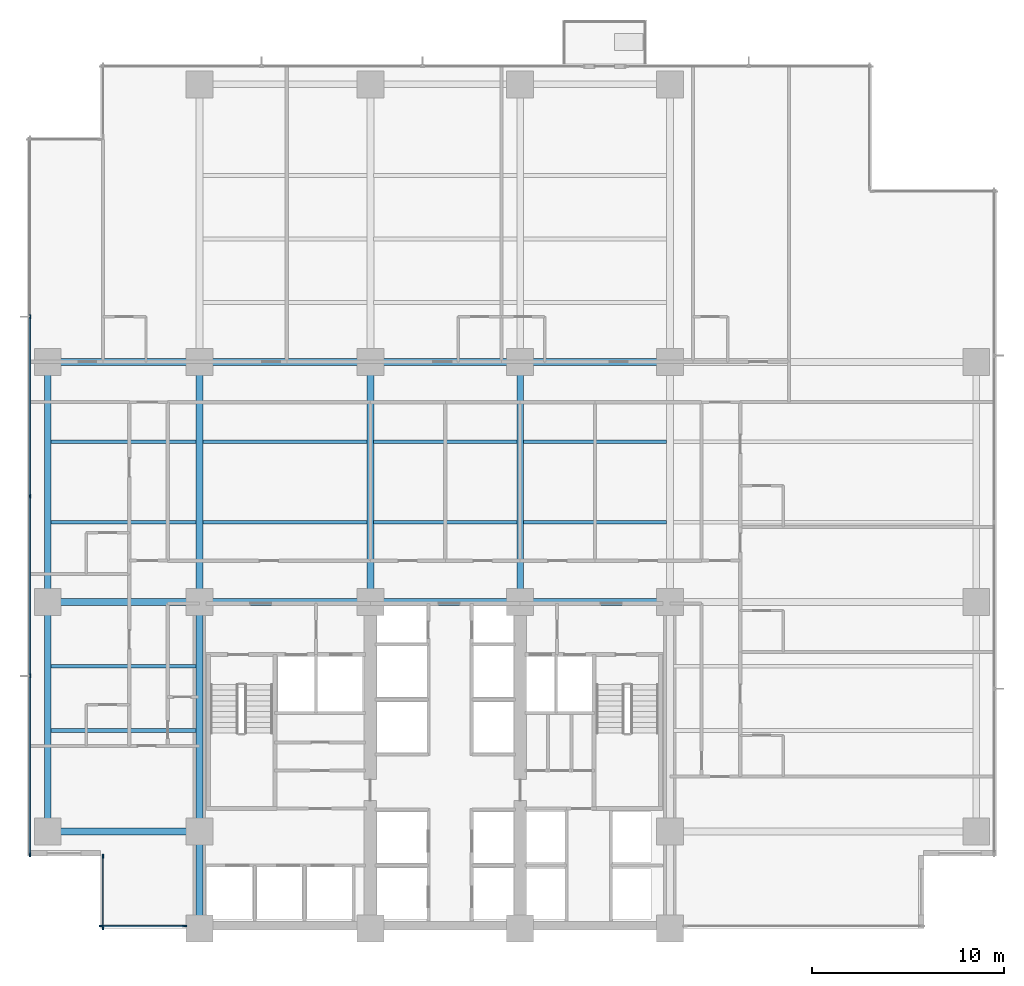
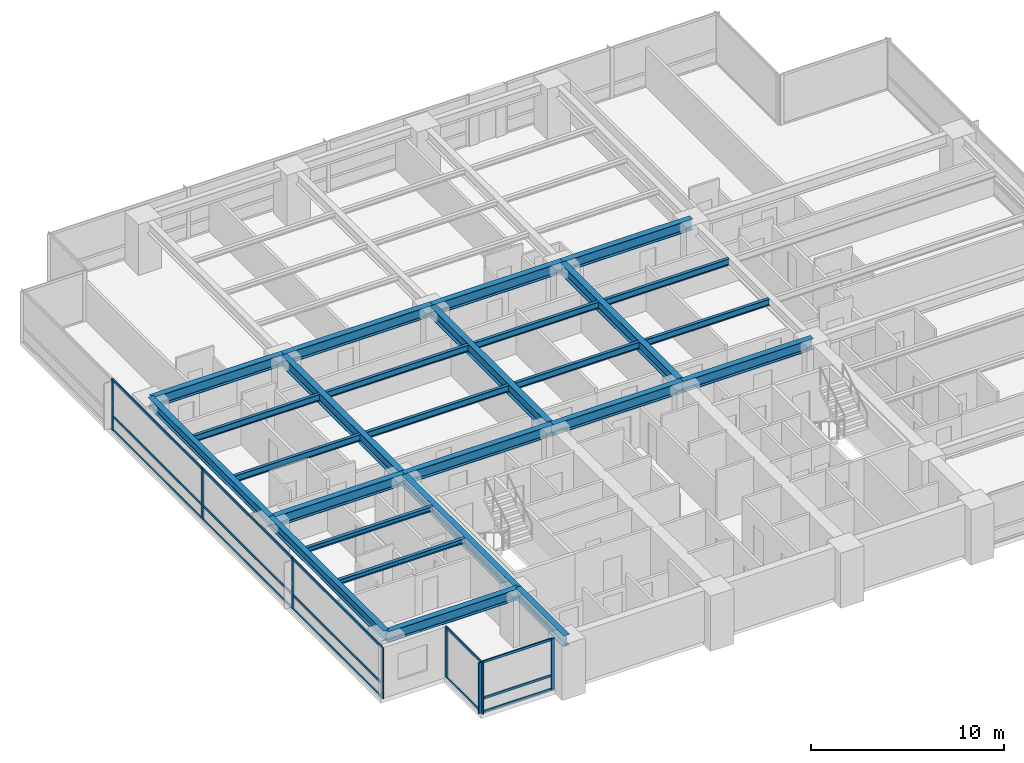
# One storey, part 2 of 16: 26 beams, 22 members, 3 elements without a shape of their own.
"""IFC4 building model written with IfcOpenShell, lengths in metres."""

import ifcopenshell
import ifcopenshell.guid

model = None  # the IFC model being written
_history = None  # IfcOwnerHistory: only IFC2X3 demands one
_inside = {}  # id of a spatial element -> (the spatial element, [elements in it])
_under = {}  # id of a project, library or spatial element -> (it, [spatial elements below it])
_declared = {}  # id of a project -> (the project, [libraries it declares])
_typed = {}  # id of a type object -> (the type object, [elements of that type])
_made_of = {}  # id of a material, layer set ... -> (it, [elements and type objects made of it])


def new_model(schema):
    """Start an empty IFC model of exactly this schema.

    Asked for "IFC4X3", IfcOpenShell would pick the latest addendum, in which some entities
    have other attributes; the version numbers below select the first issue.
    IFC2X3 requires an IfcOwnerHistory on every rooted entity: one is made here for all.
    """
    global model, _history
    if schema == "IFC4X3":
        model = ifcopenshell.file(schema_version=(4, 3, 0, 0))
    else:
        model = ifcopenshell.file(schema=schema)
    _inside.clear()
    _under.clear()
    _declared.clear()
    _typed.clear()
    _made_of.clear()
    _history = None
    if model.schema == "IFC2X3":
        org = make("IfcOrganization", Name="unknown")
        user = make(
            "IfcPersonAndOrganization",
            ThePerson=make("IfcPerson", FamilyName="unknown"),
            TheOrganization=org,
        )
        app = make(
            "IfcApplication",
            ApplicationDeveloper=org,
            Version="unknown",
            ApplicationFullName="unknown",
            ApplicationIdentifier="unknown",
        )
        _history = make(
            "IfcOwnerHistory",
            OwningUser=user,
            OwningApplication=app,
            ChangeAction="ADDED",
            CreationDate=0,
        )
    return model


def make(cls, **values):
    """One entity of the class cls with the attributes given. An attribute that is None is left unset."""
    return model.create_entity(
        cls, **{name: value for name, value in values.items() if value is not None}
    )


def rooted(cls, **values):
    """An entity with a GlobalId (a new one), such as an element, a storey or a relation."""
    return make(cls, GlobalId=ifcopenshell.guid.new(), OwnerHistory=_history, **values)


def si_unit(unit_type, name, prefix=None):
    """IfcSIUnit, for example si_unit("LENGTHUNIT", "METRE", prefix="MILLI")."""
    return make("IfcSIUnit", UnitType=unit_type, Prefix=prefix, Name=name)


def assignment(units):
    """IfcUnitAssignment: the units of a project."""
    return None if units is None else make("IfcUnitAssignment", Units=units)


def point(xyz):
    """IfcCartesianPoint."""
    return None if xyz is None else make("IfcCartesianPoint", Coordinates=xyz)


def direction(xyz):
    """IfcDirection."""
    return None if xyz is None else make("IfcDirection", DirectionRatios=xyz)


def frame(location, z_axis=None, x_axis=None):
    """IfcAxis2Placement3D, a coordinate frame: its origin and axes. An axis left out is left unset."""
    return make(
        "IfcAxis2Placement3D",
        Location=point(location),
        Axis=direction(z_axis),
        RefDirection=direction(x_axis),
    )


def frame_2d(location, x_axis=None):
    """IfcAxis2Placement2D, a coordinate frame in the plane: its origin and x axis."""
    return make(
        "IfcAxis2Placement2D", Location=point(location), RefDirection=direction(x_axis)
    )


def origin():
    """The frame at (0, 0, 0) with its axes left unset."""
    return frame((0.0, 0.0, 0.0))


def origin_2d():
    """The frame at (0, 0) in the plane with its x axis left unset."""
    return frame_2d((0.0, 0.0))


def place(relative_to, where):
    """IfcLocalPlacement: puts the frame where relative to a parent placement (None: the world)."""
    return make(
        "IfcLocalPlacement", PlacementRelTo=relative_to, RelativePlacement=where
    )


def context(
    kind, dimensions, precision=None, world=None, true_north=None, identifier=None
):
    """IfcGeometricRepresentationContext, for example the 3D "Model" context."""
    return make(
        "IfcGeometricRepresentationContext",
        ContextIdentifier=identifier,
        ContextType=kind,
        CoordinateSpaceDimension=dimensions,
        Precision=precision,
        WorldCoordinateSystem=world,
        TrueNorth=true_north,
    )


def subcontext(parent, identifier, kind, view, scale=None):
    """IfcGeometricRepresentationSubContext, for example "Body" below "Model"."""
    return make(
        "IfcGeometricRepresentationSubContext",
        ContextIdentifier=identifier,
        ContextType=kind,
        ParentContext=parent,
        TargetScale=scale,
        TargetView=view,
    )


def project(units=None, contexts=None):
    """IfcProject with its units and contexts."""
    return rooted(
        "IfcProject",
        Name="project",
        RepresentationContexts=contexts,
        UnitsInContext=assignment(units),
    )


def spatial(cls, under=None, at=None, **own):
    """A site, building, storey or space (cls), placed at a placement, below another one or the project."""
    s = rooted(cls, ObjectPlacement=at, **own)
    if under is not None:
        _under.setdefault(under.id(), (under, []))[1].append(s)
    return s


def profile(cls, at=None, kind="AREA", **sizes):
    """A parametric profile (cls). Its sizes go by their IFC names, for example OverallWidth=200.0."""
    return make(cls, ProfileType=kind, Position=at, **sizes)


def rectangle(**sizes):
    """IfcRectangleProfileDef."""
    return profile("IfcRectangleProfileDef", **sizes)


def i_section(**sizes):
    """IfcIShapeProfileDef."""
    return profile("IfcIShapeProfileDef", **sizes)


def extrude(swept, where, along, depth):
    """IfcExtrudedAreaSolid: the profile swept, set in the frame where, extruded along a direction by depth."""
    return make(
        "IfcExtrudedAreaSolid",
        SweptArea=swept,
        Position=where,
        ExtrudedDirection=direction(along),
        Depth=depth,
    )


def shape(context_of_items, identifier, shape_type, items):
    """IfcShapeRepresentation: the items that make up one representation, for example the "Body"."""
    return make(
        "IfcShapeRepresentation",
        ContextOfItems=context_of_items,
        RepresentationIdentifier=identifier,
        RepresentationType=shape_type,
        Items=items,
    )


def material(Name=None, Category=None):
    """IfcMaterial."""
    return make("IfcMaterial", Name=Name, Category=Category)


def layer(
    of_material, thickness, ventilated=None, Name=None, Category=None, Priority=None
):
    """IfcMaterialLayer: one layer of a wall or slab, of a material (None: an air gap)."""
    return make(
        "IfcMaterialLayer",
        Material=of_material,
        LayerThickness=thickness,
        IsVentilated=ventilated,
        Name=Name,
        Category=Category,
        Priority=Priority,
    )


def layer_set(layers, Name=None):
    """IfcMaterialLayerSet."""
    return make("IfcMaterialLayerSet", MaterialLayers=layers, LayerSetName=Name)


def material_profile(
    of_material, cross_section, Name=None, Category=None, Priority=None
):
    """IfcMaterialProfile: a cross section and its material."""
    return make(
        "IfcMaterialProfile",
        Name=Name,
        Material=of_material,
        Profile=cross_section,
        Priority=Priority,
        Category=Category,
    )


def profile_set(profiles, Name=None, composite=None):
    """IfcMaterialProfileSet."""
    return make(
        "IfcMaterialProfileSet",
        Name=Name,
        MaterialProfiles=profiles,
        CompositeProfile=composite,
    )


def made_of(thing, what):
    """Note that an element or type object is made of a material, layer set ...; save() writes the relation."""
    if what is not None:
        _made_of.setdefault(what.id(), (what, []))[1].append(thing)
    return thing


def type_object(cls, material=None, **own):
    """A type object (cls), such as IfcWallType, which elements share."""
    return made_of(rooted(cls, **own), material)


def element(
    cls,
    number,
    at=None,
    inside=None,
    cuts=None,
    type_object=None,
    material=None,
    context=None,
    identifier="Body",
    shape_type=None,
    held_by="IfcProductDefinitionShape",
    body=None,
    shapes=None,
    **own,
):
    """One element of the class cls, such as IfcWall. Its Tag is "e" and its number.

    at: its placement. inside: the storey or other place that contains it. cuts: it is an
    opening in that element (IfcRelVoidsElement). A single representation is given by context,
    identifier, shape_type and body (its items); several are given by shapes. held_by: the class
    of the entity that holds the representations. save() writes the other relations.
    """
    e = rooted(cls, Tag="e%d" % number, ObjectPlacement=at, **own)
    if body is not None:
        shapes = [shape(context, identifier, shape_type, body)]
    if shapes is not None:
        e.Representation = make(held_by, Representations=shapes)
    if inside is not None:
        _inside.setdefault(inside.id(), (inside, []))[1].append(e)
    if cuts is not None:
        rooted(
            "IfcRelVoidsElement", RelatingBuildingElement=cuts, RelatedOpeningElement=e
        )
    if type_object is not None:
        _typed.setdefault(type_object.id(), (type_object, []))[1].append(e)
    return made_of(e, material)


def aggregate(whole, parts):
    """IfcRelAggregates: a whole, such as a stair, and the parts it consists of."""
    return rooted("IfcRelAggregates", RelatingObject=whole, RelatedObjects=parts)


def save(model, path):
    """Write the relations noted so far, then the file.

    IfcRelAggregates (storeys below a building ...), IfcRelContainedInSpatialStructure (elements
    in a storey), IfcRelDefinesByType, IfcRelAssociatesMaterial and IfcRelDeclares: one each for
    every whole, place, type object, material and project.
    """
    for whole, parts in _under.values():
        aggregate(whole, parts)
    for where, things in _inside.values():
        rooted(
            "IfcRelContainedInSpatialStructure",
            RelatedElements=things,
            RelatingStructure=where,
        )
    for kind, things in _typed.values():
        rooted("IfcRelDefinesByType", RelatedObjects=things, RelatingType=kind)
    for what, things in _made_of.values():
        rooted("IfcRelAssociatesMaterial", RelatedObjects=things, RelatingMaterial=what)
    for by, libraries in _declared.values():
        rooted("IfcRelDeclares", RelatingContext=by, RelatedDefinitions=libraries)
    model.write(path)


model = new_model("IFC4")

# Units and contexts
model_context = context("Model", 3, precision=1e-05, world=origin(), true_north=direction((0.0, 1.0)))
body_context = subcontext(model_context, "Body", "Model", "MODEL_VIEW")
ifc_project = project(units=[si_unit("LENGTHUNIT", "METRE"), si_unit("AREAUNIT", "SQUARE_METRE"), si_unit("VOLUMEUNIT", "CUBIC_METRE"), si_unit("PLANEANGLEUNIT", "RADIAN"), si_unit("MASSUNIT", "GRAM", prefix="KILO")], contexts=[model_context])

# Site, building, storey
site_placement = place(None, origin())
site = spatial("IfcSite", under=ifc_project, at=site_placement, CompositionType="ELEMENT")
building_placement = place(site_placement, origin())
building = spatial("IfcBuilding", under=site, at=building_placement, Name="Qalmaran Belvedere Hotel", CompositionType="ELEMENT")
storey_placement = place(building_placement, frame((0.0, 0.0, 50.89990234375)))
storey = spatial("IfcBuildingStorey", under=building, at=storey_placement, Name="L12", CompositionType="ELEMENT", Elevation=50.89990234375)

# Beams
ifc_material_1 = material(Name="Steel S355JR", Category="steel")
ifc_material_profile_1 = material_profile(ifc_material_1, i_section(OverallWidth=0.202880859375, OverallDepth=0.302978515625, WebThickness=0.007568359375, FlangeThickness=0.01318359375, FilletRadius=0.012939453125, at=origin_2d()), Name="W310X60")
ifc_profile_set_1 = profile_set([ifc_material_profile_1], Name="Steel S355JR")
beam_type_1 = type_object("IfcBeamType", Name="BM-JST-W310X60", PredefinedType="JOIST", material=ifc_profile_set_1)
for number, where, z_axis, x_axis, name in (
    (1, (12.5615234375, 13.800048828125, 3.068603515625), (1.0, 0.0, 0.0), (0.0, 1.0, 0.0), "L12 West Wing Joist 038"),
    (2, (12.5615234375, 17.14990234375, 3.068603515625), (1.0, 0.0, 0.0), (0.0, 1.0, 0.0), "L12 West Wing Joist 040"),
):
    element("IfcBeam", number, at=place(storey_placement, frame(where, z_axis=z_axis, x_axis=x_axis)), inside=storey, type_object=beam_type_1, Name=name, PredefinedType="JOIST", context=body_context, shape_type="SweptSolid", body=[
        extrude(i_section(OverallWidth=0.202880859375, OverallDepth=0.302978515625, WebThickness=0.007568359375, FlangeThickness=0.01318359375, FilletRadius=0.012939453125, at=origin_2d()), origin(), (0.0, 0.0, 1.0), 7.56298828125),
    ])
ifc_material_profile_2 = material_profile(ifc_material_1, i_section(OverallWidth=0.180908203125, OverallDepth=0.4169921875, WebThickness=0.010986328125, FlangeThickness=0.018310546875, FilletRadius=0.014892578125, at=origin_2d()), Name="W410X85")
ifc_profile_set_2 = profile_set([ifc_material_profile_2], Name="Steel S355JR")
beam_type_2 = type_object("IfcBeamType", Name="BM-SB1-W410X85", PredefinedType="BEAM", material=ifc_profile_set_2)
beam_1_placement = place(storey_placement, frame((12.5615234375, 24.64990234375, 3.01171875), z_axis=(1.0, 0.0, 0.0), x_axis=(0.0, 1.0, 0.0)))
element("IfcBeam", 3, at=beam_1_placement, inside=storey, type_object=beam_type_2, Name="L12 West Secondary Beam 028", PredefinedType="BEAM", context=body_context, shape_type="SweptSolid", body=[
    extrude(i_section(OverallWidth=0.180908203125, OverallDepth=0.4169921875, WebThickness=0.010986328125, FlangeThickness=0.018310546875, FilletRadius=0.014892578125, at=origin_2d()), origin(), (0.0, 0.0, 1.0), 7.56298828125),
])
beam_2_placement = place(storey_placement, frame((20.4755859375, 24.64990234375, 3.01171875), z_axis=(1.0, 0.0, 0.0), x_axis=(0.0, 1.0, 0.0)))
element("IfcBeam", 4, at=beam_2_placement, inside=storey, type_object=beam_type_2, Name="L12 Secondary Floor Beam 029", PredefinedType="BEAM", context=body_context, shape_type="SweptSolid", body=[
    extrude(i_section(OverallWidth=0.180908203125, OverallDepth=0.4169921875, WebThickness=0.010986328125, FlangeThickness=0.018310546875, FilletRadius=0.014892578125, at=origin_2d()), origin(), (0.0, 0.0, 1.0), 8.548828125),
])
for number, where, z_axis, x_axis, name in (
    (5, (29.37548828125, 24.64990234375, 3.01171875), (1.0, 0.0, 0.0), (0.0, 1.0, 0.0), "L12 Secondary Floor Beam 030"),
    (6, (37.175537109375, 24.64990234375, 3.01171875), (1.0, 0.0, 0.0), (0.0, 1.0, 0.0), "L12 Secondary Floor Beam 031"),
):
    element("IfcBeam", number, at=place(storey_placement, frame(where, z_axis=z_axis, x_axis=x_axis)), inside=storey, type_object=beam_type_2, Name=name, PredefinedType="BEAM", context=body_context, shape_type="SweptSolid", body=[
        extrude(i_section(OverallWidth=0.180908203125, OverallDepth=0.4169921875, WebThickness=0.010986328125, FlangeThickness=0.018310546875, FilletRadius=0.014892578125, at=origin_2d()), origin(), (0.0, 0.0, 1.0), 7.448974609375),
    ])
beam_3_placement = place(storey_placement, frame((12.5615234375, 28.85009765625, 3.01171875), z_axis=(1.0, 0.0, 0.0), x_axis=(0.0, 1.0, 0.0)))
element("IfcBeam", 7, at=beam_3_placement, inside=storey, type_object=beam_type_2, Name="L12 West Secondary Beam 033", PredefinedType="BEAM", context=body_context, shape_type="SweptSolid", body=[
    extrude(i_section(OverallWidth=0.180908203125, OverallDepth=0.4169921875, WebThickness=0.010986328125, FlangeThickness=0.018310546875, FilletRadius=0.014892578125, at=origin_2d()), origin(), (0.0, 0.0, 1.0), 7.56298828125),
])
beam_4_placement = place(storey_placement, frame((20.4755859375, 28.85009765625, 3.01171875), z_axis=(1.0, 0.0, 0.0), x_axis=(0.0, 1.0, 0.0)))
element("IfcBeam", 8, at=beam_4_placement, inside=storey, type_object=beam_type_2, Name="L12 Secondary Floor Beam 034", PredefinedType="BEAM", context=body_context, shape_type="SweptSolid", body=[
    extrude(i_section(OverallWidth=0.180908203125, OverallDepth=0.4169921875, WebThickness=0.010986328125, FlangeThickness=0.018310546875, FilletRadius=0.014892578125, at=origin_2d()), origin(), (0.0, 0.0, 1.0), 8.548828125),
])
for number, where, z_axis, x_axis, name in (
    (9, (29.37548828125, 28.85009765625, 3.01171875), (1.0, 0.0, 0.0), (0.0, 1.0, 0.0), "L12 Secondary Floor Beam 035"),
    (10, (37.175537109375, 28.85009765625, 3.01171875), (1.0, 0.0, 0.0), (0.0, 1.0, 0.0), "L12 Secondary Floor Beam 036"),
):
    element("IfcBeam", number, at=place(storey_placement, frame(where, z_axis=z_axis, x_axis=x_axis)), inside=storey, type_object=beam_type_2, Name=name, PredefinedType="BEAM", context=body_context, shape_type="SweptSolid", body=[
        extrude(i_section(OverallWidth=0.180908203125, OverallDepth=0.4169921875, WebThickness=0.010986328125, FlangeThickness=0.018310546875, FilletRadius=0.014892578125, at=origin_2d()), origin(), (0.0, 0.0, 1.0), 7.448974609375),
    ])
ifc_material_profile_3 = material_profile(ifc_material_1, i_section(OverallWidth=0.326904296875, OverallDepth=0.6220703125, WebThickness=0.015380859375, FlangeThickness=0.0244140625, FilletRadius=0.02001953125, at=origin_2d()), Name="W610X195")
ifc_profile_set_3 = profile_set([ifc_material_profile_3], Name="Steel S355JR")
beam_type_3 = type_object("IfcBeamType", Name="BM-SP1-W610X195", PredefinedType="SPANDREL", material=ifc_profile_set_3)
beam_5_placement = place(storey_placement, frame((12.39990234375, 8.550048828125, 2.9091796875), z_axis=(0.0, 1.0, 0.0), x_axis=(-1.0, 0.0, 0.0)))
element("IfcBeam", 11, at=beam_5_placement, inside=storey, type_object=beam_type_3, Name="L12 Perimeter Spandrel 01", PredefinedType="SPANDREL", context=body_context, shape_type="SweptSolid", body=[
    extrude(i_section(OverallWidth=0.326904296875, OverallDepth=0.6220703125, WebThickness=0.015380859375, FlangeThickness=0.0244140625, FilletRadius=0.02001953125, at=origin_2d()), origin(), (0.0, 0.0, 1.0), 11.949951171875),
])
beam_6_placement = place(storey_placement, frame((12.39990234375, 20.5, 2.9091796875), z_axis=(0.0, 1.0, 0.0), x_axis=(-1.0, 0.0, 0.0)))
element("IfcBeam", 12, at=beam_6_placement, inside=storey, type_object=beam_type_3, Name="L12 Perimeter Spandrel 02", PredefinedType="SPANDREL", context=body_context, shape_type="SweptSolid", body=[
    extrude(i_section(OverallWidth=0.326904296875, OverallDepth=0.6220703125, WebThickness=0.015380859375, FlangeThickness=0.0244140625, FilletRadius=0.02001953125, at=origin_2d()), origin(), (0.0, 0.0, 1.0), 12.5),
])
ifc_material_profile_4 = material_profile(ifc_material_1, i_section(OverallWidth=0.35498046875, OverallDepth=0.695068359375, WebThickness=0.015380859375, FlangeThickness=0.02490234375, FilletRadius=0.02197265625, at=origin_2d()), Name="W690X217")
ifc_profile_set_4 = profile_set([ifc_material_profile_4], Name="Steel S355JR")
beam_type_4 = type_object("IfcBeamType", Name="BM-Z1-W690X217", PredefinedType="USERDEFINED", material=ifc_profile_set_4)
beam_7_placement = place(storey_placement, frame((20.300048828125, 20.5, 2.87255859375), z_axis=(1.0, 0.0, 0.0), x_axis=(0.0, 1.0, 0.0)))
element("IfcBeam", 13, at=beam_7_placement, inside=storey, type_object=beam_type_4, Name="L12 Interior E-W Girder 08", ObjectType="GIRDER", PredefinedType="USERDEFINED", context=body_context, shape_type="SweptSolid", body=[
    extrude(i_section(OverallWidth=0.35498046875, OverallDepth=0.695068359375, WebThickness=0.015380859375, FlangeThickness=0.02490234375, FilletRadius=0.02197265625, at=origin_2d()), origin(), (0.0, 0.0, 1.0), 8.89990234375),
])
for number, where, z_axis, x_axis, name in (
    (14, (29.199951171875, 20.5, 2.87255859375), (1.0, 0.0, 0.0), (0.0, 1.0, 0.0), "L12 Interior E-W Girder 09"),
    (15, (37.0, 20.5, 2.87255859375), (1.0, 0.0, 0.0), (0.0, 1.0, 0.0), "L12 Interior E-W Girder 10"),
):
    element("IfcBeam", number, at=place(storey_placement, frame(where, z_axis=z_axis, x_axis=x_axis)), inside=storey, type_object=beam_type_4, Name=name, ObjectType="GIRDER", PredefinedType="USERDEFINED", context=body_context, shape_type="SweptSolid", body=[
        extrude(i_section(OverallWidth=0.35498046875, OverallDepth=0.695068359375, WebThickness=0.015380859375, FlangeThickness=0.02490234375, FilletRadius=0.02197265625, at=origin_2d()), origin(), (0.0, 0.0, 1.0), 7.800048828125),
    ])
beam_8_placement = place(storey_placement, frame((20.300048828125, 33.0, 2.87255859375), z_axis=(1.0, 0.0, 0.0), x_axis=(0.0, 1.0, 0.0)))
element("IfcBeam", 16, at=beam_8_placement, inside=storey, type_object=beam_type_4, Name="L12 Interior E-W Girder 11", ObjectType="GIRDER", PredefinedType="USERDEFINED", context=body_context, shape_type="SweptSolid", body=[
    extrude(i_section(OverallWidth=0.35498046875, OverallDepth=0.695068359375, WebThickness=0.015380859375, FlangeThickness=0.02490234375, FilletRadius=0.02197265625, at=origin_2d()), origin(), (0.0, 0.0, 1.0), 8.89990234375),
])
for number, where, z_axis, x_axis, name in (
    (17, (29.199951171875, 33.0, 2.87255859375), (1.0, 0.0, 0.0), (0.0, 1.0, 0.0), "L12 Interior E-W Girder 12"),
    (18, (37.0, 33.0, 2.87255859375), (1.0, 0.0, 0.0), (0.0, 1.0, 0.0), "L12 Interior E-W Girder 13"),
):
    element("IfcBeam", number, at=place(storey_placement, frame(where, z_axis=z_axis, x_axis=x_axis)), inside=storey, type_object=beam_type_4, Name=name, ObjectType="GIRDER", PredefinedType="USERDEFINED", context=body_context, shape_type="SweptSolid", body=[
        extrude(i_section(OverallWidth=0.35498046875, OverallDepth=0.695068359375, WebThickness=0.015380859375, FlangeThickness=0.02490234375, FilletRadius=0.02197265625, at=origin_2d()), origin(), (0.0, 0.0, 1.0), 7.800048828125),
    ])
for number, where, z_axis, x_axis, name in (
    (19, (20.300048828125, 20.5, 2.87255859375), (0.0, 1.0, 0.0), (-1.0, 0.0, 0.0), "L12 Mid-Plate N-S Girder 14"),
    (20, (29.199951171875, 20.5, 2.87255859375), (0.0, 1.0, 0.0), (-1.0, 0.0, 0.0), "L12 Mid-Plate N-S Girder 16"),
    (21, (37.0, 20.5, 2.87255859375), (0.0, 1.0, 0.0), (-1.0, 0.0, 0.0), "L12 Mid-Plate N-S Girder 18"),
):
    element("IfcBeam", number, at=place(storey_placement, frame(where, z_axis=z_axis, x_axis=x_axis)), inside=storey, type_object=beam_type_4, Name=name, ObjectType="GIRDER", PredefinedType="USERDEFINED", context=body_context, shape_type="SweptSolid", body=[
        extrude(i_section(OverallWidth=0.35498046875, OverallDepth=0.695068359375, WebThickness=0.015380859375, FlangeThickness=0.02490234375, FilletRadius=0.02197265625, at=origin_2d()), origin(), (0.0, 0.0, 1.0), 12.5),
    ])
for number, where, z_axis, x_axis, name in (
    (22, (12.39990234375, 8.550048828125, 2.87255859375), (1.0, 0.0, 0.0), (0.0, 1.0, 0.0), "L12 West Wing Girder 22"),
    (23, (12.39990234375, 20.5, 2.87255859375), (1.0, 0.0, 0.0), (0.0, 1.0, 0.0), "L12 West Wing Girder 23"),
    (24, (12.39990234375, 33.0, 2.87255859375), (1.0, 0.0, 0.0), (0.0, 1.0, 0.0), "L12 West Wing Girder 24"),
):
    element("IfcBeam", number, at=place(storey_placement, frame(where, z_axis=z_axis, x_axis=x_axis)), inside=storey, type_object=beam_type_4, Name=name, ObjectType="GIRDER", PredefinedType="USERDEFINED", context=body_context, shape_type="SweptSolid", body=[
        extrude(i_section(OverallWidth=0.35498046875, OverallDepth=0.695068359375, WebThickness=0.015380859375, FlangeThickness=0.02490234375, FilletRadius=0.02197265625, at=origin_2d()), origin(), (0.0, 0.0, 1.0), 7.900146484375),
    ])
beam_9_placement = place(storey_placement, frame((20.300048828125, 3.5, 2.87255859375), z_axis=(0.0, 1.0, 0.0), x_axis=(-1.0, 0.0, 0.0)))
element("IfcBeam", 25, at=beam_9_placement, inside=storey, type_object=beam_type_4, Name="L12 West Core Edge Girder A", ObjectType="GIRDER", PredefinedType="USERDEFINED", context=body_context, shape_type="SweptSolid", body=[
    extrude(i_section(OverallWidth=0.35498046875, OverallDepth=0.695068359375, WebThickness=0.015380859375, FlangeThickness=0.02490234375, FilletRadius=0.02197265625, at=origin_2d()), origin(), (0.0, 0.0, 1.0), 5.050048828125),
])
beam_10_placement = place(storey_placement, frame((20.300048828125, 8.550048828125, 2.87255859375), z_axis=(0.0, 1.0, 0.0), x_axis=(-1.0, 0.0, 0.0)))
element("IfcBeam", 26, at=beam_10_placement, inside=storey, type_object=beam_type_4, Name="L12 West Core Edge Girder B", ObjectType="GIRDER", PredefinedType="USERDEFINED", context=body_context, shape_type="SweptSolid", body=[
    extrude(i_section(OverallWidth=0.35498046875, OverallDepth=0.695068359375, WebThickness=0.015380859375, FlangeThickness=0.02490234375, FilletRadius=0.02197265625, at=origin_2d()), origin(), (0.0, 0.0, 1.0), 11.949951171875),
])

# Curtain wall, members
ifc_material_2 = material(Name="Anodised Bronze Aluminium", Category="aluminium")
ifc_layer = layer(ifc_material_2, 0.2099609375, Name="Anodised Bronze Aluminium")
ifc_layer_set = layer_set([ifc_layer], Name="Anodised Bronze Aluminium")
curtain_wall_type = type_object("IfcCurtainWallType", Name="CW2-TOWER-LOWER", PredefinedType="NOTDEFINED", material=ifc_layer_set)
curtain_wall_1_placement = place(storey_placement, origin())
curtain_wall_1 = element("IfcCurtainWall", 27, at=curtain_wall_1_placement, inside=storey, type_object=curtain_wall_type, Name="L12 Curtain Wall CW2", PredefinedType="NOTDEFINED")
ifc_material_profile_5 = material_profile(ifc_material_2, rectangle(XDim=0.074951171875, YDim=0.219970703125, at=origin_2d()), Name="CWM75X220")
ifc_profile_set_5 = profile_set([ifc_material_profile_5], Name="Anodised Bronze Aluminium")
member_type_1 = type_object("IfcMemberType", Name="CWM-75X220", PredefinedType="MULLION", material=ifc_profile_set_5)
member_1_placement = place(storey_placement, frame((15.1875, 3.6201171875, 0.0), z_axis=(0.0, 0.0, 1.0), x_axis=(0.0, 1.0, 0.0)))
member_1 = element("IfcMember", 28, at=member_1_placement, type_object=member_type_1, Name="CW2 mullion 1", PredefinedType="MULLION", context=body_context, shape_type="SweptSolid", body=[
    extrude(rectangle(XDim=0.074951171875, YDim=0.219970703125, at=origin_2d()), origin(), (0.0, 0.0, 1.0), 3.22021484375),
])
member_2_placement = place(storey_placement, frame((19.5224609375, 3.6201171875, 0.0), z_axis=(0.0, 0.0, 1.0), x_axis=(0.0, 1.0, 0.0)))
member_2 = element("IfcMember", 29, at=member_2_placement, type_object=member_type_1, Name="CW2 mullion 2", PredefinedType="MULLION", context=body_context, shape_type="SweptSolid", body=[
    extrude(rectangle(XDim=0.074951171875, YDim=0.219970703125, at=origin_2d()), origin(), (0.0, 0.0, 1.0), 3.22021484375),
])

curtain_wall_2_placement = place(storey_placement, origin())
curtain_wall_2 = element("IfcCurtainWall", 30, at=curtain_wall_2_placement, inside=storey, type_object=curtain_wall_type, Name="L12 Curtain Wall CW2", PredefinedType="NOTDEFINED")
member_3_placement = place(storey_placement, frame((11.469970703125, 35.35009765625, 0.0), z_axis=(0.0, 0.0, 1.0), x_axis=(1.0, 0.0, 0.0)))
member_3 = element("IfcMember", 31, at=member_3_placement, type_object=member_type_1, Name="CW2 mullion 2", PredefinedType="MULLION", context=body_context, shape_type="SweptSolid", body=[
    extrude(rectangle(XDim=0.074951171875, YDim=0.219970703125, at=origin_2d()), origin(), (0.0, 0.0, 1.0), 3.22021484375),
])
member_4_placement = place(storey_placement, frame((11.469970703125, 26.0, 0.0), z_axis=(0.0, 0.0, 1.0), x_axis=(1.0, 0.0, 0.0)))
member_4 = element("IfcMember", 32, at=member_4_placement, type_object=member_type_1, Name="CW2 mullion 3", PredefinedType="MULLION", context=body_context, shape_type="SweptSolid", body=[
    extrude(rectangle(XDim=0.074951171875, YDim=0.219970703125, at=origin_2d()), origin(), (0.0, 0.0, 1.0), 3.22021484375),
])
member_5_placement = place(storey_placement, frame((11.469970703125, 16.64990234375, 0.0), z_axis=(0.0, 0.0, 1.0), x_axis=(1.0, 0.0, 0.0)))
member_5 = element("IfcMember", 33, at=member_5_placement, type_object=member_type_1, Name="CW2 mullion 4", PredefinedType="MULLION", context=body_context, shape_type="SweptSolid", body=[
    extrude(rectangle(XDim=0.074951171875, YDim=0.219970703125, at=origin_2d()), origin(), (0.0, 0.0, 1.0), 3.22021484375),
])
member_6_placement = place(storey_placement, frame((11.469970703125, 7.33740234375, 0.0), z_axis=(0.0, 0.0, 1.0), x_axis=(1.0, 0.0, 0.0)))
member_6 = element("IfcMember", 34, at=member_6_placement, type_object=member_type_1, Name="CW2 mullion 5", PredefinedType="MULLION", context=body_context, shape_type="SweptSolid", body=[
    extrude(rectangle(XDim=0.074951171875, YDim=0.219970703125, at=origin_2d()), origin(), (0.0, 0.0, 1.0), 3.22021484375),
])

curtain_wall_3_placement = place(storey_placement, origin())
curtain_wall_3 = element("IfcCurtainWall", 35, at=curtain_wall_3_placement, inside=storey, type_object=curtain_wall_type, Name="L12 Curtain Wall CW2", PredefinedType="NOTDEFINED")
member_7_placement = place(storey_placement, frame((15.27001953125, 7.262451171875, 0.0), z_axis=(0.0, 0.0, 1.0), x_axis=(1.0, 0.0, 0.0)))
member_7 = element("IfcMember", 36, at=member_7_placement, type_object=member_type_1, Name="CW2 mullion 1", PredefinedType="MULLION", context=body_context, shape_type="SweptSolid", body=[
    extrude(rectangle(XDim=0.074951171875, YDim=0.219970703125, at=origin_2d()), origin(), (0.0, 0.0, 1.0), 3.22021484375),
])
member_8_placement = place(storey_placement, frame((15.27001953125, 3.53759765625, 0.0), z_axis=(0.0, 0.0, 1.0), x_axis=(1.0, 0.0, 0.0)))
member_8 = element("IfcMember", 37, at=member_8_placement, type_object=member_type_1, Name="CW2 mullion 2", PredefinedType="MULLION", context=body_context, shape_type="SweptSolid", body=[
    extrude(rectangle(XDim=0.074951171875, YDim=0.219970703125, at=origin_2d()), origin(), (0.0, 0.0, 1.0), 3.22021484375),
])

# Member
ifc_material_profile_6 = material_profile(ifc_material_2, rectangle(XDim=0.070068359375, YDim=0.14990234375, at=origin_2d()), Name="CWT70X150")
ifc_profile_set_6 = profile_set([ifc_material_profile_6], Name="Anodised Bronze Aluminium")
member_type_2 = type_object("IfcMemberType", Name="CWT-70X150", PredefinedType="USERDEFINED", material=ifc_profile_set_6)
member_9_placement = place(storey_placement, frame((15.22509765625, 3.6201171875, 0.03515625), z_axis=(1.0, 0.0, 0.0), x_axis=(0.0, 1.0, 0.0)))
member_9 = element("IfcMember", 38, at=member_9_placement, type_object=member_type_2, Name="CW2 transom 1.1", ObjectType="TRANSOM", PredefinedType="USERDEFINED", context=body_context, shape_type="SweptSolid", body=[
    extrude(rectangle(XDim=0.070068359375, YDim=0.14990234375, at=origin_2d()), origin(), (0.0, 0.0, 1.0), 4.260009765625),
])

member_10_placement = place(storey_placement, frame((15.22509765625, 3.6201171875, 0.901611328125), z_axis=(1.0, 0.0, 0.0), x_axis=(0.0, 1.0, 0.0)))
member_10 = element("IfcMember", 39, at=member_10_placement, type_object=member_type_2, Name="CW2 transom 1.2", ObjectType="TRANSOM", PredefinedType="USERDEFINED", context=body_context, shape_type="SweptSolid", body=[
    extrude(rectangle(XDim=0.070068359375, YDim=0.14990234375, at=origin_2d()), origin(), (0.0, 0.0, 1.0), 4.260009765625),
])

member_11_placement = place(storey_placement, frame((15.22509765625, 3.6201171875, 3.18505859375), z_axis=(1.0, 0.0, 0.0), x_axis=(0.0, 1.0, 0.0)))
member_11 = element("IfcMember", 40, at=member_11_placement, type_object=member_type_2, Name="CW2 transom 1.3", ObjectType="TRANSOM", PredefinedType="USERDEFINED", context=body_context, shape_type="SweptSolid", body=[
    extrude(rectangle(XDim=0.070068359375, YDim=0.14990234375, at=origin_2d()), origin(), (0.0, 0.0, 1.0), 4.260009765625),
])

aggregate(curtain_wall_1, [member_1, member_2, member_9, member_10, member_11])

member_12_placement = place(storey_placement, frame((11.469970703125, 35.3125, 0.03515625), z_axis=(0.0, -1.0, 0.0), x_axis=(1.0, 0.0, 0.0)))
member_12 = element("IfcMember", 41, at=member_12_placement, type_object=member_type_2, Name="CW2 transom 2.1", ObjectType="TRANSOM", PredefinedType="USERDEFINED", context=body_context, shape_type="SweptSolid", body=[
    extrude(rectangle(XDim=0.070068359375, YDim=0.14990234375, at=origin_2d()), origin(), (0.0, 0.0, 1.0), 9.27490234375),
])

member_13_placement = place(storey_placement, frame((11.469970703125, 35.3125, 0.901611328125), z_axis=(0.0, -1.0, 0.0), x_axis=(1.0, 0.0, 0.0)))
member_13 = element("IfcMember", 42, at=member_13_placement, type_object=member_type_2, Name="CW2 transom 2.2", ObjectType="TRANSOM", PredefinedType="USERDEFINED", context=body_context, shape_type="SweptSolid", body=[
    extrude(rectangle(XDim=0.070068359375, YDim=0.14990234375, at=origin_2d()), origin(), (0.0, 0.0, 1.0), 9.27490234375),
])

member_14_placement = place(storey_placement, frame((11.469970703125, 35.3125, 3.18505859375), z_axis=(0.0, -1.0, 0.0), x_axis=(1.0, 0.0, 0.0)))
member_14 = element("IfcMember", 43, at=member_14_placement, type_object=member_type_2, Name="CW2 transom 2.3", ObjectType="TRANSOM", PredefinedType="USERDEFINED", context=body_context, shape_type="SweptSolid", body=[
    extrude(rectangle(XDim=0.070068359375, YDim=0.14990234375, at=origin_2d()), origin(), (0.0, 0.0, 1.0), 9.27490234375),
])

member_15_placement = place(storey_placement, frame((11.469970703125, 25.96240234375, 0.03515625), z_axis=(0.0, -1.0, 0.0), x_axis=(1.0, 0.0, 0.0)))
member_15 = element("IfcMember", 44, at=member_15_placement, type_object=member_type_2, Name="CW2 transom 3.1", ObjectType="TRANSOM", PredefinedType="USERDEFINED", context=body_context, shape_type="SweptSolid", body=[
    extrude(rectangle(XDim=0.070068359375, YDim=0.14990234375, at=origin_2d()), origin(), (0.0, 0.0, 1.0), 9.27490234375),
])

member_16_placement = place(storey_placement, frame((11.469970703125, 25.96240234375, 0.901611328125), z_axis=(0.0, -1.0, 0.0), x_axis=(1.0, 0.0, 0.0)))
member_16 = element("IfcMember", 45, at=member_16_placement, type_object=member_type_2, Name="CW2 transom 3.2", ObjectType="TRANSOM", PredefinedType="USERDEFINED", context=body_context, shape_type="SweptSolid", body=[
    extrude(rectangle(XDim=0.070068359375, YDim=0.14990234375, at=origin_2d()), origin(), (0.0, 0.0, 1.0), 9.27490234375),
])

member_17_placement = place(storey_placement, frame((11.469970703125, 25.96240234375, 3.18505859375), z_axis=(0.0, -1.0, 0.0), x_axis=(1.0, 0.0, 0.0)))
member_17 = element("IfcMember", 46, at=member_17_placement, type_object=member_type_2, Name="CW2 transom 3.3", ObjectType="TRANSOM", PredefinedType="USERDEFINED", context=body_context, shape_type="SweptSolid", body=[
    extrude(rectangle(XDim=0.070068359375, YDim=0.14990234375, at=origin_2d()), origin(), (0.0, 0.0, 1.0), 9.27490234375),
])

member_18_placement = place(storey_placement, frame((11.469970703125, 16.612548828125, 0.03515625), z_axis=(0.0, -1.0, 0.0), x_axis=(1.0, 0.0, 0.0)))
member_18 = element("IfcMember", 47, at=member_18_placement, type_object=member_type_2, Name="CW2 transom 4.1", ObjectType="TRANSOM", PredefinedType="USERDEFINED", context=body_context, shape_type="SweptSolid", body=[
    extrude(rectangle(XDim=0.070068359375, YDim=0.14990234375, at=origin_2d()), origin(), (0.0, 0.0, 1.0), 9.237548828125),
])

member_19_placement = place(storey_placement, frame((11.469970703125, 16.612548828125, 0.901611328125), z_axis=(0.0, -1.0, 0.0), x_axis=(1.0, 0.0, 0.0)))
member_19 = element("IfcMember", 48, at=member_19_placement, type_object=member_type_2, Name="CW2 transom 4.2", ObjectType="TRANSOM", PredefinedType="USERDEFINED", context=body_context, shape_type="SweptSolid", body=[
    extrude(rectangle(XDim=0.070068359375, YDim=0.14990234375, at=origin_2d()), origin(), (0.0, 0.0, 1.0), 9.237548828125),
])

member_20_placement = place(storey_placement, frame((11.469970703125, 16.612548828125, 3.18505859375), z_axis=(0.0, -1.0, 0.0), x_axis=(1.0, 0.0, 0.0)))
member_20 = element("IfcMember", 49, at=member_20_placement, type_object=member_type_2, Name="CW2 transom 4.3", ObjectType="TRANSOM", PredefinedType="USERDEFINED", context=body_context, shape_type="SweptSolid", body=[
    extrude(rectangle(XDim=0.070068359375, YDim=0.14990234375, at=origin_2d()), origin(), (0.0, 0.0, 1.0), 9.237548828125),
])

aggregate(curtain_wall_2, [member_3, member_4, member_5, member_6, member_12, member_13, member_14, member_15, member_16, member_17, member_18, member_19, member_20])

member_21_placement = place(storey_placement, frame((15.27001953125, 7.22509765625, 0.03515625), z_axis=(0.0, -1.0, 0.0), x_axis=(1.0, 0.0, 0.0)))
member_21 = element("IfcMember", 50, at=member_21_placement, type_object=member_type_2, Name="CW2 transom 1.1", ObjectType="TRANSOM", PredefinedType="USERDEFINED", context=body_context, shape_type="SweptSolid", body=[
    extrude(rectangle(XDim=0.070068359375, YDim=0.14990234375, at=origin_2d()), origin(), (0.0, 0.0, 1.0), 3.650146484375),
])

member_22_placement = place(storey_placement, frame((15.27001953125, 7.22509765625, 3.18505859375), z_axis=(0.0, -1.0, 0.0), x_axis=(1.0, 0.0, 0.0)))
member_22 = element("IfcMember", 51, at=member_22_placement, type_object=member_type_2, Name="CW2 transom 1.2", ObjectType="TRANSOM", PredefinedType="USERDEFINED", context=body_context, shape_type="SweptSolid", body=[
    extrude(rectangle(XDim=0.070068359375, YDim=0.14990234375, at=origin_2d()), origin(), (0.0, 0.0, 1.0), 3.650146484375),
])

aggregate(curtain_wall_3, [member_7, member_8, member_21, member_22])

save(model, "model.ifc")
